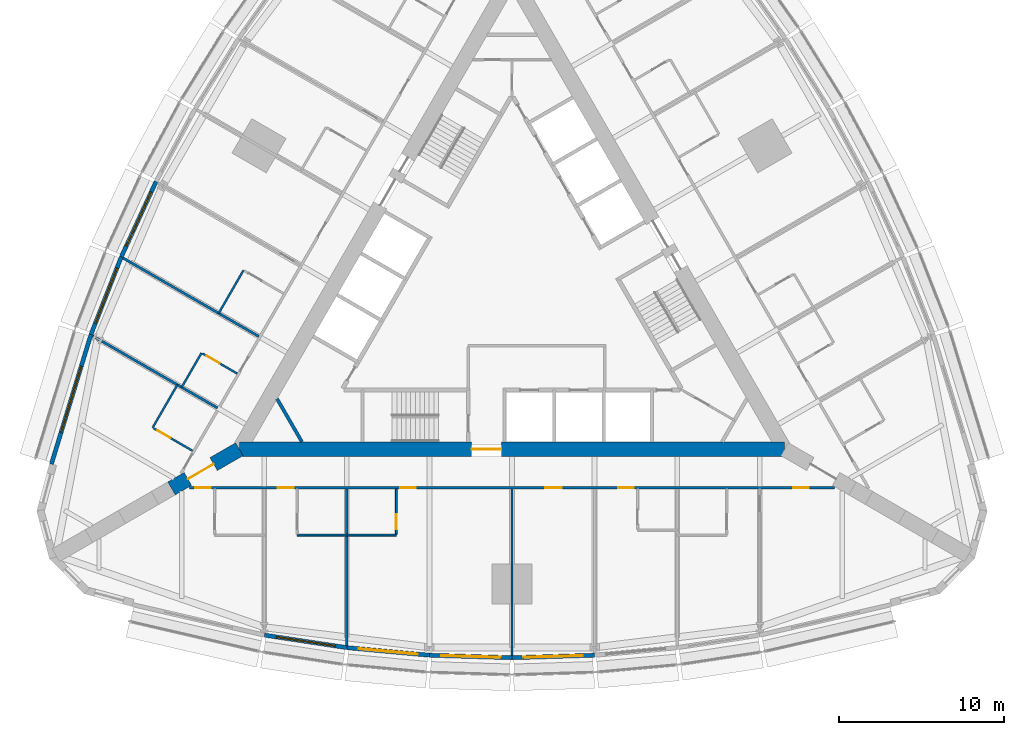
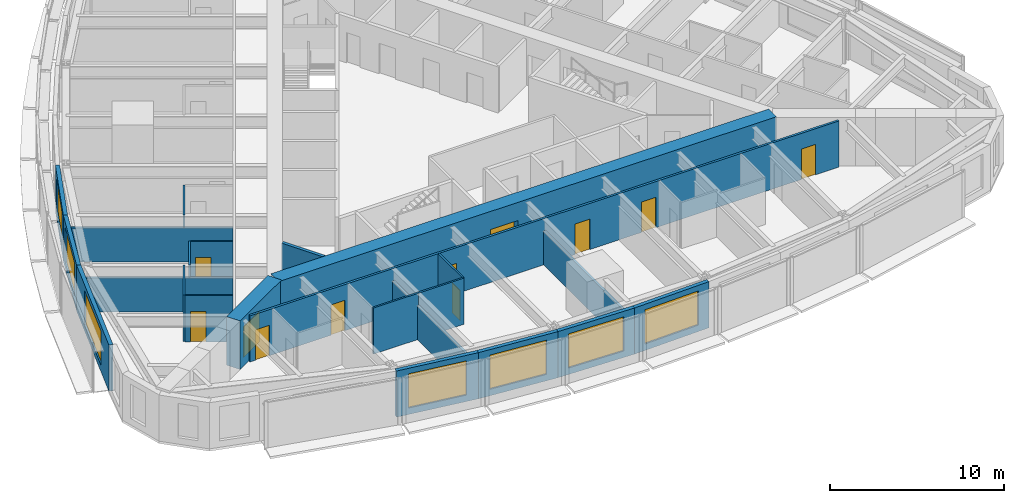
# One storey, part 8 of 14: 23 walls, 11 doors, 7 windows, 18 openings.
"""IFC4 building model written with IfcOpenShell, lengths in metres."""

from ifc_helpers import new_model, si_unit, direction, frame, frame_2d, origin, place, context, subcontext, project, spatial, rectangle, extrude, material, layer, layer_set, type_object, element, fill, save


model = new_model("IFC4")

# Units and contexts
model_context = context("Model", 3, precision=1e-05, world=origin(), true_north=direction((0.0, 1.0)))
body_context = subcontext(model_context, "Body", "Model", "MODEL_VIEW")
ifc_project = project(units=[si_unit("LENGTHUNIT", "METRE"), si_unit("AREAUNIT", "SQUARE_METRE"), si_unit("VOLUMEUNIT", "CUBIC_METRE"), si_unit("PLANEANGLEUNIT", "RADIAN"), si_unit("MASSUNIT", "GRAM", prefix="KILO")], contexts=[model_context])

# Site, building, storey
site_placement = place(None, origin())
site = spatial("IfcSite", under=ifc_project, at=site_placement, CompositionType="ELEMENT")
building_placement = place(site_placement, origin())
building = spatial("IfcBuilding", under=site, at=building_placement, Name="Trikona Tower", CompositionType="ELEMENT")
storey_placement = place(building_placement, frame((0.0, 0.0, 38.699951171875)))
storey = spatial("IfcBuildingStorey", under=building, at=storey_placement, Name="L08", CompositionType="ELEMENT", Elevation=38.699951171875)

# Walls
ifc_material_1 = material(Name="Metal stud and cement board", Category="gypsum")
ifc_layer_1 = layer(ifc_material_1, 0.1201171875)
ifc_layer_set_1 = layer_set([ifc_layer_1], Name="Bathroom wall 120")
wall_type_1 = type_object("IfcWallType", Name="Bathroom wall 120", PredefinedType="PLUMBINGWALL", material=ifc_layer_set_1)
for number, where, z_axis, x_axis, name in (
    (1, (-13.0, -14.726318359375, 0.0), (0.0, 0.0, 1.0), (1.0, 0.0, 0.0), "Bathroom wall 0802"),
    (2, (-10.0, -14.726318359375, 0.0), (0.0, 0.0, 1.0), (1.0, 0.0, 0.0), "Bathroom wall 0803"),
):
    element("IfcWall", number, at=place(storey_placement, frame(where, z_axis=z_axis, x_axis=x_axis)), inside=storey, type_object=wall_type_1, Name=name, PredefinedType="PLUMBINGWALL", context=body_context, shape_type="SweptSolid", body=[
        extrude(rectangle(XDim=3.0, YDim=0.1201171875, at=frame_2d((1.5, 0.0))), origin(), (0.0, 0.0, 1.0), 3.235107421875),
    ])

# Wall, opening, door
wall_1_placement = place(storey_placement, frame((-7.0, -11.92626953125, 0.0), z_axis=(0.0, 0.0, 1.0), x_axis=(0.0, -1.0, 0.0)))
wall_1 = element("IfcWall", 3, at=wall_1_placement, inside=storey, type_object=wall_type_1, Name="Bathroom wall 0803", PredefinedType="PLUMBINGWALL", context=body_context, shape_type="SweptSolid", body=[
    extrude(rectangle(XDim=2.739990234375, YDim=0.1201171875, at=frame_2d((1.3701171875, 0.0))), origin(), (0.0, 0.0, 1.0), 3.235107421875),
])
opening_1_placement = place(wall_1_placement, frame((1.550048828125, 0.0, 0.0)))
opening_1 = element("IfcOpeningElement", 4, at=opening_1_placement, cuts=wall_1, Name="Opening D2", PredefinedType="OPENING", context=body_context, shape_type="SweptSolid", body=[
    extrude(rectangle(XDim=0.89990234375, YDim=2.1298828125, at=frame_2d((0.449951171875, 1.06494140625))), frame((0.0, 0.070068359375, 0.0), z_axis=(0.0, -1.0, 0.0), x_axis=(1.0, 0.0, 0.0)), (0.0, 0.0, 1.0), 0.14013671875),
])
ifc_material_2 = material(Name="Steel door frame with solid-core timber leaf", Category="steel")
door_type_1 = type_object("IfcDoorType", Name="Bathroom door 900x2130", OperationType="SLIDING_TO_LEFT", PredefinedType="DOOR", material=ifc_material_2)
door_1_placement = place(opening_1_placement, origin())
door_1 = element("IfcDoor", 5, at=door_1_placement, inside=storey, type_object=door_type_1, Name="Bathroom door 0803", OperationType="SLIDING_TO_LEFT", OverallHeight=2.1298828125, OverallWidth=0.89990234375, PredefinedType="DOOR", context=body_context, shape_type="SweptSolid", body=[
    extrude(rectangle(XDim=0.89990234375, YDim=2.1298828125, at=frame_2d((0.449951171875, 1.06494140625))), frame((0.0, 0.02490234375, 0.0), z_axis=(0.0, -1.0, 0.0), x_axis=(1.0, 0.0, 0.0)), (0.0, 0.0, 1.0), 0.050048828125),
])
fill(opening_1, door_1)

# Walls
wall_2_placement = place(storey_placement, frame((-16.25341796875, 1.301025390625, 0.0), z_axis=(0.0, 0.0, 1.0), x_axis=(-0.499990139034, -0.866031096941, 0.0)))
element("IfcWall", 6, at=wall_2_placement, inside=storey, type_object=wall_type_1, Name="Bathroom wall 0816.1", PredefinedType="PLUMBINGWALL", context=body_context, shape_type="SweptSolid", body=[
    extrude(rectangle(XDim=3.0, YDim=0.1201171875, at=frame_2d((1.5, 0.0))), origin(), (0.0, 0.0, 1.0), 3.235107421875),
])
wall_3_placement = place(storey_placement, frame((-18.79345703125, -3.69873046875, 0.0), z_axis=(0.0, 0.0, 1.0), x_axis=(-0.500001309137, -0.866024647952, 0.0)))
element("IfcWall", 7, at=wall_3_placement, inside=storey, type_object=wall_type_1, Name="Bathroom wall 0817", PredefinedType="PLUMBINGWALL", context=body_context, shape_type="SweptSolid", body=[
    extrude(rectangle(XDim=2.39990234375, YDim=0.1201171875, at=frame_2d((1.199951171875, 0.0))), origin(), (0.0, 0.0, 1.0), 3.235107421875),
])

# Wall, opening, door
wall_4_placement = place(storey_placement, frame((-16.62841796875, -4.94873046875, 0.0), z_axis=(0.0, 0.0, 1.0), x_axis=(-0.866048967903, 0.499959183527, 0.0)))
wall_4 = element("IfcWall", 8, at=wall_4_placement, inside=storey, type_object=wall_type_1, Name="Bathroom wall 0817", PredefinedType="PLUMBINGWALL", context=body_context, shape_type="SweptSolid", body=[
    extrude(rectangle(XDim=2.440185546875, YDim=0.1201171875, at=frame_2d((1.22021484375, 0.0))), origin(), (0.0, 0.0, 1.0), 3.235107421875),
])
opening_2_placement = place(wall_4_placement, frame((1.25, 0.0, 0.0)))
opening_2 = element("IfcOpeningElement", 9, at=opening_2_placement, cuts=wall_4, Name="Opening D2", PredefinedType="OPENING", context=body_context, shape_type="SweptSolid", body=[
    extrude(rectangle(XDim=0.89990234375, YDim=2.1298828125, at=frame_2d((0.449951171875, 1.06494140625))), frame((0.0, 0.070068359375, 0.0), z_axis=(0.0, -1.0, 0.0), x_axis=(1.0, 0.0, 0.0)), (0.0, 0.0, 1.0), 0.14013671875),
])
door_2_placement = place(opening_2_placement, origin())
door_2 = element("IfcDoor", 10, at=door_2_placement, inside=storey, type_object=door_type_1, Name="Bathroom door 0817", OperationType="SLIDING_TO_LEFT", OverallHeight=2.1298828125, OverallWidth=0.89990234375, PredefinedType="DOOR", context=body_context, shape_type="SweptSolid", body=[
    extrude(rectangle(XDim=0.89990234375, YDim=2.1298828125, at=frame_2d((0.449951171875, 1.06494140625))), frame((0.0, 0.02490234375, 0.0), z_axis=(0.0, -1.0, 0.0), x_axis=(1.0, 0.0, 0.0)), (0.0, 0.0, 1.0), 0.050048828125),
])
fill(opening_2, door_2)

# Wall
wall_5_placement = place(storey_placement, frame((-20.25341796875, -5.627197265625, 0.0), z_axis=(0.0, 0.0, 1.0), x_axis=(-0.499990139034, -0.866031096941, 0.0)))
element("IfcWall", 11, at=wall_5_placement, inside=storey, type_object=wall_type_1, Name="Bathroom wall 0818", PredefinedType="PLUMBINGWALL", context=body_context, shape_type="SweptSolid", body=[
    extrude(rectangle(XDim=3.0, YDim=0.1201171875, at=frame_2d((1.5, 0.0))), origin(), (0.0, 0.0, 1.0), 3.235107421875),
])

# Wall, opening, door
wall_6_placement = place(storey_placement, frame((-19.32861328125, -9.625244140625, 0.0), z_axis=(0.0, 0.0, 1.0), x_axis=(-0.866035715982, 0.499982138324, 0.0)))
wall_6 = element("IfcWall", 12, at=wall_6_placement, inside=storey, type_object=wall_type_1, Name="Bathroom wall 0818", PredefinedType="PLUMBINGWALL", context=body_context, shape_type="SweptSolid", body=[
    extrude(rectangle(XDim=2.73974609375, YDim=0.1201171875, at=frame_2d((1.369873046875, 0.0))), origin(), (0.0, 0.0, 1.0), 3.235107421875),
])
opening_3_placement = place(wall_6_placement, frame((1.550048828125, 0.0, 0.0)))
opening_3 = element("IfcOpeningElement", 13, at=opening_3_placement, cuts=wall_6, Name="Opening D2", PredefinedType="OPENING", context=body_context, shape_type="SweptSolid", body=[
    extrude(rectangle(XDim=0.89990234375, YDim=2.1298828125, at=frame_2d((0.449951171875, 1.06494140625))), frame((0.0, 0.070068359375, 0.0), z_axis=(0.0, -1.0, 0.0), x_axis=(1.0, 0.0, 0.0)), (0.0, 0.0, 1.0), 0.14013671875),
])
door_3_placement = place(opening_3_placement, origin())
door_3 = element("IfcDoor", 14, at=door_3_placement, inside=storey, type_object=door_type_1, Name="Bathroom door 0818", OperationType="SLIDING_TO_LEFT", OverallHeight=2.1298828125, OverallWidth=0.89990234375, PredefinedType="DOOR", context=body_context, shape_type="SweptSolid", body=[
    extrude(rectangle(XDim=0.89990234375, YDim=2.1298828125, at=frame_2d((0.449951171875, 1.06494140625))), frame((0.0, 0.02490234375, 0.0), z_axis=(0.0, -1.0, 0.0), x_axis=(1.0, 0.0, 0.0)), (0.0, 0.0, 1.0), 0.050048828125),
])
fill(opening_3, door_3)

ifc_material_3 = material(Name="Concrete f'c 10000 psi", Category="concrete")
ifc_layer_2 = layer(ifc_material_3, 0.89990234375)
ifc_layer_set_2 = layer_set([ifc_layer_2], Name="Buttress wall 900")
wall_type_2 = type_object("IfcWallType", Name="Buttress wall 900", PredefinedType="SHEAR", material=ifc_layer_set_2)
wall_7_placement = place(storey_placement, frame((-16.5, -9.5263671875, 0.0), z_axis=(0.0, 0.0, 1.0), x_axis=(-0.866031398331, -0.499989616998, 0.0)))
wall_7 = element("IfcWall", 15, at=wall_7_placement, inside=storey, type_object=wall_type_2, Name="Buttress wall 3", PredefinedType="SHEAR", context=body_context, shape_type="SweptSolid", body=[
    extrude(rectangle(XDim=4.74609375, YDim=0.89990234375, at=frame_2d((2.373046875, 0.0))), origin(), (0.0, 0.0, 1.0), 3.400146484375),
])
opening_4_placement = place(wall_7_placement, frame((1.800048828125, 0.0, 0.0)))
opening_4 = element("IfcOpeningElement", 16, at=opening_4_placement, cuts=wall_7, Name="Opening D10", PredefinedType="OPENING", context=body_context, shape_type="SweptSolid", body=[
    extrude(rectangle(XDim=1.800048828125, YDim=2.1298828125, at=frame_2d((0.89990234375, 1.06494140625))), frame((0.0, 0.4599609375, 0.0), z_axis=(0.0, -1.0, 0.0), x_axis=(1.0, 0.0, 0.0)), (0.0, 0.0, 1.0), 0.919921875),
])
ifc_material_4 = material(Name="Hollow metal door and frame", Category="steel")
door_type_2 = type_object("IfcDoorType", Name="Cross-corridor door pair 1800x2130", OperationType="DOUBLE_DOOR_DOUBLE_SWING", PredefinedType="DOOR", material=ifc_material_4)
door_4_placement = place(opening_4_placement, origin())
door_4 = element("IfcDoor", 17, at=door_4_placement, inside=storey, type_object=door_type_2, Name="Cross-corridor door 3", OperationType="DOUBLE_DOOR_DOUBLE_SWING", OverallHeight=2.1298828125, OverallWidth=1.800048828125, PredefinedType="DOOR", context=body_context, shape_type="SweptSolid", body=[
    extrude(rectangle(XDim=1.800048828125, YDim=2.1298828125, at=frame_2d((0.89990234375, 1.06494140625))), frame((0.0, 0.02490234375, 0.0), z_axis=(0.0, -1.0, 0.0), x_axis=(1.0, 0.0, 0.0)), (0.0, 0.0, 1.0), 0.050048828125),
])
fill(opening_4, door_4)

ifc_material_5 = material(Name="Concrete f'c 10000 psi", Category="concrete")
ifc_layer_3 = layer(ifc_material_5, 0.89990234375)
ifc_layer_set_3 = layer_set([ifc_layer_3], Name="Core wall 900")
wall_type_3 = type_object("IfcWallType", Name="Core wall 900", PredefinedType="SHEAR", material=ifc_layer_set_3)
wall_8_placement = place(storey_placement, frame((-16.5, -9.5263671875, 0.0), z_axis=(0.0, 0.0, 1.0), x_axis=(1.0, 0.0, 0.0)))
wall_8 = element("IfcWall", 18, at=wall_8_placement, inside=storey, type_object=wall_type_3, Name="Core wall A", PredefinedType="SHEAR", context=body_context, shape_type="SweptSolid", body=[
    extrude(rectangle(XDim=33.0, YDim=0.89990234375, at=frame_2d((16.5, 0.0))), origin(), (0.0, 0.0, 1.0), 3.400146484375),
])
opening_5_placement = place(wall_8_placement, frame((14.050048828125, 0.0, 0.0)))
opening_5 = element("IfcOpeningElement", 19, at=opening_5_placement, cuts=wall_8, Name="Opening D6", PredefinedType="OPENING", context=body_context, shape_type="SweptSolid", body=[
    extrude(rectangle(XDim=1.800048828125, YDim=2.1298828125, at=frame_2d((0.89990234375, 1.06494140625))), frame((0.0, 0.4599609375, 0.0), z_axis=(0.0, -1.0, 0.0), x_axis=(1.0, 0.0, 0.0)), (0.0, 0.0, 1.0), 0.919921875),
])
ifc_material_6 = material(Name="Hollow metal door and frame", Category="steel")
door_type_3 = type_object("IfcDoorType", Name="Lobby door pair 1800x2130", OperationType="DOUBLE_DOOR_SINGLE_SWING", PredefinedType="DOOR", material=ifc_material_6)
door_5_placement = place(opening_5_placement, origin())
door_5 = element("IfcDoor", 20, at=door_5_placement, inside=storey, type_object=door_type_3, Name="Fire service lift lobby door", OperationType="DOUBLE_DOOR_SINGLE_SWING", OverallHeight=2.1298828125, OverallWidth=1.800048828125, PredefinedType="DOOR", context=body_context, shape_type="SweptSolid", body=[
    extrude(rectangle(XDim=1.800048828125, YDim=2.1298828125, at=frame_2d((0.89990234375, 1.06494140625))), frame((0.0, 0.02490234375, 0.0), z_axis=(0.0, -1.0, 0.0), x_axis=(1.0, 0.0, 0.0)), (0.0, 0.0, 1.0), 0.050048828125),
])
fill(opening_5, door_5)

# Wall, openings, doors
ifc_material_7 = material(Name="Metal stud and gypsum board, 1-hour", Category="gypsum")
ifc_layer_4 = layer(ifc_material_7, 0.14990234375)
ifc_layer_set_4 = layer_set([ifc_layer_4], Name="Corridor wall 150")
wall_type_4 = type_object("IfcWallType", Name="Corridor wall 150", PredefinedType="PARTITIONING", material=ifc_layer_set_4)
wall_9_placement = place(storey_placement, frame((-19.527099609375, -11.851318359375, 0.0), z_axis=(0.0, 0.0, 1.0), x_axis=(1.0, 0.0, 0.0)))
wall_9 = element("IfcWall", 21, at=wall_9_placement, inside=storey, type_object=wall_type_4, Name="Corridor wall L08-1", PredefinedType="PARTITIONING", context=body_context, shape_type="SweptSolid", body=[
    extrude(rectangle(XDim=39.05419921875, YDim=0.14990234375, at=frame_2d((19.527099609375, 0.0))), origin(), (0.0, 0.0, 1.0), 3.235107421875),
])
opening_6_placement = place(wall_9_placement, frame((0.35205078125, 0.0, 0.0)))
opening_6 = element("IfcOpeningElement", 22, at=opening_6_placement, cuts=wall_9, Name="Opening D1", PredefinedType="OPENING", context=body_context, shape_type="SweptSolid", body=[
    extrude(rectangle(XDim=0.949951171875, YDim=2.1298828125, at=frame_2d((0.47509765625, 1.06494140625))), frame((0.0, 0.0849609375, 0.0), z_axis=(0.0, -1.0, 0.0), x_axis=(1.0, 0.0, 0.0)), (0.0, 0.0, 1.0), 0.169921875),
])
opening_7_placement = place(wall_9_placement, frame((5.35205078125, 0.0, 0.0)))
opening_7 = element("IfcOpeningElement", 23, at=opening_7_placement, cuts=wall_9, Name="Opening D1", PredefinedType="OPENING", context=body_context, shape_type="SweptSolid", body=[
    extrude(rectangle(XDim=0.949951171875, YDim=2.1298828125, at=frame_2d((0.47509765625, 1.06494140625))), frame((0.0, 0.0849609375, 0.0), z_axis=(0.0, -1.0, 0.0), x_axis=(1.0, 0.0, 0.0)), (0.0, 0.0, 1.0), 0.169921875),
])
opening_8_placement = place(wall_9_placement, frame((12.751953125, 0.0, 0.0)))
opening_8 = element("IfcOpeningElement", 24, at=opening_8_placement, cuts=wall_9, Name="Opening D1", PredefinedType="OPENING", context=body_context, shape_type="SweptSolid", body=[
    extrude(rectangle(XDim=0.949951171875, YDim=2.1298828125, at=frame_2d((0.47509765625, 1.06494140625))), frame((0.0, 0.0849609375, 0.0), z_axis=(0.0, -1.0, 0.0), x_axis=(1.0, 0.0, 0.0)), (0.0, 0.0, 1.0), 0.169921875),
])
opening_9_placement = place(wall_9_placement, frame((21.527099609375, 0.0, 0.0)))
opening_9 = element("IfcOpeningElement", 25, at=opening_9_placement, cuts=wall_9, Name="Opening D3", PredefinedType="OPENING", context=body_context, shape_type="SweptSolid", body=[
    extrude(rectangle(XDim=1.0, YDim=2.1298828125, at=frame_2d((0.5, 1.06494140625))), frame((0.0, 0.0849609375, 0.0), z_axis=(0.0, -1.0, 0.0), x_axis=(1.0, 0.0, 0.0)), (0.0, 0.0, 1.0), 0.169921875),
])
opening_10_placement = place(wall_9_placement, frame((25.951904296875, 0.0, 0.0)))
opening_10 = element("IfcOpeningElement", 26, at=opening_10_placement, cuts=wall_9, Name="Opening D1", PredefinedType="OPENING", context=body_context, shape_type="SweptSolid", body=[
    extrude(rectangle(XDim=0.949951171875, YDim=2.1298828125, at=frame_2d((0.47509765625, 1.06494140625))), frame((0.0, 0.0849609375, 0.0), z_axis=(0.0, -1.0, 0.0), x_axis=(1.0, 0.0, 0.0)), (0.0, 0.0, 1.0), 0.169921875),
])
opening_11_placement = place(wall_9_placement, frame((36.545654296875, 0.0, 0.0)))
opening_11 = element("IfcOpeningElement", 27, at=opening_11_placement, cuts=wall_9, Name="Opening D1", PredefinedType="OPENING", context=body_context, shape_type="SweptSolid", body=[
    extrude(rectangle(XDim=0.949951171875, YDim=2.1298828125, at=frame_2d((0.47509765625, 1.06494140625))), frame((0.0, 0.0849609375, 0.0), z_axis=(0.0, -1.0, 0.0), x_axis=(1.0, 0.0, 0.0)), (0.0, 0.0, 1.0), 0.169921875),
])
ifc_material_8 = material(Name="Steel door frame with solid-core timber leaf", Category="steel")
door_type_4 = type_object("IfcDoorType", Name="Guest room door 950x2130", OperationType="SINGLE_SWING_LEFT", PredefinedType="DOOR", material=ifc_material_8)
door_6_placement = place(opening_6_placement, origin())
door_6 = element("IfcDoor", 28, at=door_6_placement, inside=storey, type_object=door_type_4, Name="Room door 0801", OperationType="SINGLE_SWING_LEFT", OverallHeight=2.1298828125, OverallWidth=0.949951171875, PredefinedType="DOOR", context=body_context, shape_type="SweptSolid", body=[
    extrude(rectangle(XDim=0.949951171875, YDim=2.1298828125, at=frame_2d((0.47509765625, 1.06494140625))), frame((0.0, 0.02490234375, 0.0), z_axis=(0.0, -1.0, 0.0), x_axis=(1.0, 0.0, 0.0)), (0.0, 0.0, 1.0), 0.050048828125),
])
fill(opening_6, door_6)
door_7_placement = place(opening_7_placement, origin())
door_7 = element("IfcDoor", 29, at=door_7_placement, inside=storey, type_object=door_type_4, Name="Room door 0802", OperationType="SINGLE_SWING_RIGHT", OverallHeight=2.1298828125, OverallWidth=0.949951171875, PredefinedType="DOOR", context=body_context, shape_type="SweptSolid", body=[
    extrude(rectangle(XDim=0.949951171875, YDim=2.1298828125, at=frame_2d((0.47509765625, 1.06494140625))), frame((0.0, 0.02490234375, 0.0), z_axis=(0.0, -1.0, 0.0), x_axis=(1.0, 0.0, 0.0)), (0.0, 0.0, 1.0), 0.050048828125),
])
fill(opening_7, door_7)
door_8_placement = place(opening_8_placement, origin())
door_8 = element("IfcDoor", 30, at=door_8_placement, inside=storey, type_object=door_type_4, Name="Room door 0803", OperationType="SINGLE_SWING_LEFT", OverallHeight=2.1298828125, OverallWidth=0.949951171875, PredefinedType="DOOR", context=body_context, shape_type="SweptSolid", body=[
    extrude(rectangle(XDim=0.949951171875, YDim=2.1298828125, at=frame_2d((0.47509765625, 1.06494140625))), frame((0.0, 0.02490234375, 0.0), z_axis=(0.0, -1.0, 0.0), x_axis=(1.0, 0.0, 0.0)), (0.0, 0.0, 1.0), 0.050048828125),
])
fill(opening_8, door_8)
door_9_placement = place(opening_10_placement, origin())
door_9 = element("IfcDoor", 31, at=door_9_placement, inside=storey, type_object=door_type_4, Name="Room door 0804", OperationType="SINGLE_SWING_LEFT", OverallHeight=2.1298828125, OverallWidth=0.949951171875, PredefinedType="DOOR", context=body_context, shape_type="SweptSolid", body=[
    extrude(rectangle(XDim=0.949951171875, YDim=2.1298828125, at=frame_2d((0.47509765625, 1.06494140625))), frame((0.0, 0.02490234375, 0.0), z_axis=(0.0, -1.0, 0.0), x_axis=(1.0, 0.0, 0.0)), (0.0, 0.0, 1.0), 0.050048828125),
])
fill(opening_10, door_9)
door_10_placement = place(opening_11_placement, origin())
door_10 = element("IfcDoor", 32, at=door_10_placement, inside=storey, type_object=door_type_4, Name="Room door 0805", OperationType="SINGLE_SWING_RIGHT", OverallHeight=2.1298828125, OverallWidth=0.949951171875, PredefinedType="DOOR", context=body_context, shape_type="SweptSolid", body=[
    extrude(rectangle(XDim=0.949951171875, YDim=2.1298828125, at=frame_2d((0.47509765625, 1.06494140625))), frame((0.0, 0.02490234375, 0.0), z_axis=(0.0, -1.0, 0.0), x_axis=(1.0, 0.0, 0.0)), (0.0, 0.0, 1.0), 0.050048828125),
])
fill(opening_11, door_10)
ifc_material_9 = material(Name="Steel door frame with solid-core timber leaf", Category="steel")
door_type_5 = type_object("IfcDoorType", Name="Room door 1000x2130", OperationType="SINGLE_SWING_LEFT", PredefinedType="DOOR", material=ifc_material_9)
door_11_placement = place(opening_9_placement, origin())
door_11 = element("IfcDoor", 33, at=door_11_placement, inside=storey, type_object=door_type_5, Name="Door Housekeeping pantry", OperationType="SINGLE_SWING_RIGHT", OverallHeight=2.1298828125, OverallWidth=1.0, PredefinedType="DOOR", context=body_context, shape_type="SweptSolid", body=[
    extrude(rectangle(XDim=1.0, YDim=2.1298828125, at=frame_2d((0.5, 1.06494140625))), frame((0.0, 0.02490234375, 0.0), z_axis=(0.0, -1.0, 0.0), x_axis=(1.0, 0.0, 0.0)), (0.0, 0.0, 1.0), 0.050048828125),
])
fill(opening_9, door_11)

# Wall, opening, window
ifc_material_10 = material(Name="Insulated precast concrete spandrel panel", Category="concrete")
ifc_layer_5 = layer(ifc_material_10, 0.25)
ifc_layer_set_5 = layer_set([ifc_layer_5], Name="Inner skin wall 250")
wall_type_5 = type_object("IfcWallType", Name="Inner skin wall 250", PredefinedType="STANDARD", material=ifc_layer_set_5)
wall_10_placement = place(storey_placement, frame((-14.981201171875, -20.779296875, 0.0), z_axis=(0.0, 0.0, 1.0), x_axis=(0.988615403399, -0.150464561152, 0.0)))
wall_10 = element("IfcWall", 34, at=wall_10_placement, inside=storey, type_object=wall_type_5, Name="External wall L08-01", PredefinedType="STANDARD", context=body_context, shape_type="SweptSolid", body=[
    extrude(rectangle(XDim=5.0576171875, YDim=0.25, at=frame_2d((2.52880859375, 0.0))), origin(), (0.0, 0.0, 1.0), 3.235107421875),
])
opening_12_placement = place(wall_10_placement, frame((0.728759765625, 0.0, 0.449951171875)))
opening_12 = element("IfcOpeningElement", 35, at=opening_12_placement, cuts=wall_10, Name="Opening W3624", PredefinedType="OPENING", context=body_context, shape_type="SweptSolid", body=[
    extrude(rectangle(XDim=3.60009765625, YDim=2.39990234375, at=frame_2d((1.800048828125, 1.199951171875))), frame((0.0, 0.135009765625, 0.0), z_axis=(0.0, -1.0, 0.0), x_axis=(1.0, 0.0, 0.0)), (0.0, 0.0, 1.0), 0.27001953125),
])
ifc_material_11 = material(Name="Aluminium-framed double glazing", Category="aluminium")
window_type_1 = type_object("IfcWindowType", Name="Window 3600x2400", PartitioningType="SINGLE_PANEL", PredefinedType="WINDOW", material=ifc_material_11)
window_1_placement = place(opening_12_placement, origin())
window_1 = element("IfcWindow", 36, at=window_1_placement, inside=storey, type_object=window_type_1, Name="Window 0802", OverallHeight=2.39990234375, OverallWidth=3.60009765625, PartitioningType="SINGLE_PANEL", PredefinedType="WINDOW", context=body_context, shape_type="SweptSolid", body=[
    extrude(rectangle(XDim=3.60009765625, YDim=2.39990234375, at=frame_2d((1.800048828125, 1.199951171875))), frame((0.0, 0.030029296875, 0.0), z_axis=(0.0, -1.0, 0.0), x_axis=(1.0, 0.0, 0.0)), (0.0, 0.0, 1.0), 0.06005859375),
])
fill(opening_12, window_1)

wall_11_placement = place(storey_placement, frame((-9.988525390625, -21.539306640625, 0.0), z_axis=(0.0, 0.0, 1.0), x_axis=(0.995857256774, -0.090930325692, 0.0)))
wall_11 = element("IfcWall", 37, at=wall_11_placement, inside=storey, type_object=wall_type_5, Name="External wall L08-02", PredefinedType="STANDARD", context=body_context, shape_type="SweptSolid", body=[
    extrude(rectangle(XDim=5.020751953125, YDim=0.25, at=frame_2d((2.51025390625, 0.0))), origin(), (0.0, 0.0, 1.0), 3.235107421875),
])
opening_13_placement = place(wall_11_placement, frame((0.71044921875, 0.0, 0.449951171875)))
opening_13 = element("IfcOpeningElement", 38, at=opening_13_placement, cuts=wall_11, Name="Opening W3624", PredefinedType="OPENING", context=body_context, shape_type="SweptSolid", body=[
    extrude(rectangle(XDim=3.60009765625, YDim=2.39990234375, at=frame_2d((1.800048828125, 1.199951171875))), frame((0.0, 0.135009765625, 0.0), z_axis=(0.0, -1.0, 0.0), x_axis=(1.0, 0.0, 0.0)), (0.0, 0.0, 1.0), 0.27001953125),
])
window_2_placement = place(opening_13_placement, origin())
window_2 = element("IfcWindow", 39, at=window_2_placement, inside=storey, type_object=window_type_1, Name="Window 0803", OverallHeight=2.39990234375, OverallWidth=3.60009765625, PartitioningType="SINGLE_PANEL", PredefinedType="WINDOW", context=body_context, shape_type="SweptSolid", body=[
    extrude(rectangle(XDim=3.60009765625, YDim=2.39990234375, at=frame_2d((1.800048828125, 1.199951171875))), frame((0.0, 0.030029296875, 0.0), z_axis=(0.0, -1.0, 0.0), x_axis=(1.0, 0.0, 0.0)), (0.0, 0.0, 1.0), 0.06005859375),
])
fill(opening_13, window_2)

wall_12_placement = place(storey_placement, frame((-4.99609375, -21.99560546875, 0.0), z_axis=(0.0, 0.0, 1.0), x_axis=(0.999537635046, -0.030405856769, 0.0)))
wall_12 = element("IfcWall", 40, at=wall_12_placement, inside=storey, type_object=wall_type_5, Name="External wall L08-03", PredefinedType="STANDARD", context=body_context, shape_type="SweptSolid", body=[
    extrude(rectangle(XDim=5.002197265625, YDim=0.25, at=frame_2d((2.5009765625, 0.0))), origin(), (0.0, 0.0, 1.0), 3.235107421875),
])
opening_14_placement = place(wall_12_placement, frame((0.701171875, 0.0, 0.449951171875)))
opening_14 = element("IfcOpeningElement", 41, at=opening_14_placement, cuts=wall_12, Name="Opening W3624", PredefinedType="OPENING", context=body_context, shape_type="SweptSolid", body=[
    extrude(rectangle(XDim=3.60009765625, YDim=2.39990234375, at=frame_2d((1.800048828125, 1.199951171875))), frame((0.0, 0.135009765625, 0.0), z_axis=(0.0, -1.0, 0.0), x_axis=(1.0, 0.0, 0.0)), (0.0, 0.0, 1.0), 0.27001953125),
])
window_3_placement = place(opening_14_placement, origin())
window_3 = element("IfcWindow", 42, at=window_3_placement, inside=storey, type_object=window_type_1, Name="Window 0803", OverallHeight=2.39990234375, OverallWidth=3.60009765625, PartitioningType="SINGLE_PANEL", PredefinedType="WINDOW", context=body_context, shape_type="SweptSolid", body=[
    extrude(rectangle(XDim=3.60009765625, YDim=2.39990234375, at=frame_2d((1.800048828125, 1.199951171875))), frame((0.0, 0.030029296875, 0.0), z_axis=(0.0, -1.0, 0.0), x_axis=(1.0, 0.0, 0.0)), (0.0, 0.0, 1.0), 0.06005859375),
])
fill(opening_14, window_3)

wall_13_placement = place(storey_placement, frame((-0.00390625, -22.147705078125, 0.0), z_axis=(0.0, 0.0, 1.0), x_axis=(0.999537635046, 0.030405856769, 0.0)))
wall_13 = element("IfcWall", 43, at=wall_13_placement, inside=storey, type_object=wall_type_5, Name="External wall L08-04", PredefinedType="STANDARD", context=body_context, shape_type="SweptSolid", body=[
    extrude(rectangle(XDim=5.002197265625, YDim=0.25, at=frame_2d((2.5009765625, 0.0))), origin(), (0.0, 0.0, 1.0), 3.235107421875),
])
opening_15_placement = place(wall_13_placement, frame((0.701171875, 0.0, 0.449951171875)))
opening_15 = element("IfcOpeningElement", 44, at=opening_15_placement, cuts=wall_13, Name="Opening W3624", PredefinedType="OPENING", context=body_context, shape_type="SweptSolid", body=[
    extrude(rectangle(XDim=3.60009765625, YDim=2.39990234375, at=frame_2d((1.800048828125, 1.199951171875))), frame((0.0, 0.135009765625, 0.0), z_axis=(0.0, -1.0, 0.0), x_axis=(1.0, 0.0, 0.0)), (0.0, 0.0, 1.0), 0.27001953125),
])
window_4_placement = place(opening_15_placement, origin())
window_4 = element("IfcWindow", 45, at=window_4_placement, inside=storey, type_object=window_type_1, Name="Window L08-HKP", OverallHeight=2.39990234375, OverallWidth=3.60009765625, PartitioningType="SINGLE_PANEL", PredefinedType="WINDOW", context=body_context, shape_type="SweptSolid", body=[
    extrude(rectangle(XDim=3.60009765625, YDim=2.39990234375, at=frame_2d((1.800048828125, 1.199951171875))), frame((0.0, 0.030029296875, 0.0), z_axis=(0.0, -1.0, 0.0), x_axis=(1.0, 0.0, 0.0)), (0.0, 0.0, 1.0), 0.06005859375),
])
fill(opening_15, window_4)

wall_14_placement = place(storey_placement, frame((-21.543212890625, 6.677734375, 0.0), z_axis=(0.0, 0.0, 1.0), x_axis=(-0.419203100754, -0.907892482796, 0.0)))
wall_14 = element("IfcWall", 46, at=wall_14_placement, inside=storey, type_object=wall_type_5, Name="External wall L08-29", PredefinedType="STANDARD", context=body_context, shape_type="SweptSolid", body=[
    extrude(rectangle(XDim=5.020751953125, YDim=0.25, at=frame_2d((2.51025390625, 0.0))), origin(), (0.0, 0.0, 1.0), 3.235107421875),
])
opening_16_placement = place(wall_14_placement, frame((0.71044921875, 0.0, 0.449951171875)))
opening_16 = element("IfcOpeningElement", 47, at=opening_16_placement, cuts=wall_14, Name="Opening W3624", PredefinedType="OPENING", context=body_context, shape_type="SweptSolid", body=[
    extrude(rectangle(XDim=3.60009765625, YDim=2.39990234375, at=frame_2d((1.800048828125, 1.199951171875))), frame((0.0, 0.135009765625, 0.0), z_axis=(0.0, -1.0, 0.0), x_axis=(1.0, 0.0, 0.0)), (0.0, 0.0, 1.0), 0.27001953125),
])
window_5_placement = place(opening_16_placement, origin())
window_5 = element("IfcWindow", 48, at=window_5_placement, inside=storey, type_object=window_type_1, Name="Window 0816.1", OverallHeight=2.39990234375, OverallWidth=3.60009765625, PartitioningType="SINGLE_PANEL", PredefinedType="WINDOW", context=body_context, shape_type="SweptSolid", body=[
    extrude(rectangle(XDim=3.60009765625, YDim=2.39990234375, at=frame_2d((1.800048828125, 1.199951171875))), frame((0.0, 0.030029296875, 0.0), z_axis=(0.0, -1.0, 0.0), x_axis=(1.0, 0.0, 0.0)), (0.0, 0.0, 1.0), 0.06005859375),
])
fill(opening_16, window_5)

wall_15_placement = place(storey_placement, frame((-23.64501953125, 2.126220703125, 0.0), z_axis=(0.0, 0.0, 1.0), x_axis=(-0.364013463868, -0.931393685894, 0.0)))
wall_15 = element("IfcWall", 49, at=wall_15_placement, inside=storey, type_object=wall_type_5, Name="External wall L08-30", PredefinedType="STANDARD", context=body_context, shape_type="SweptSolid", body=[
    extrude(rectangle(XDim=5.0576171875, YDim=0.25, at=frame_2d((2.52880859375, 0.0))), origin(), (0.0, 0.0, 1.0), 3.235107421875),
])
opening_17_placement = place(wall_15_placement, frame((0.728759765625, 0.0, 0.449951171875)))
opening_17 = element("IfcOpeningElement", 50, at=opening_17_placement, cuts=wall_15, Name="Opening W3624", PredefinedType="OPENING", context=body_context, shape_type="SweptSolid", body=[
    extrude(rectangle(XDim=3.60009765625, YDim=2.39990234375, at=frame_2d((1.800048828125, 1.199951171875))), frame((0.0, 0.135009765625, 0.0), z_axis=(0.0, -1.0, 0.0), x_axis=(1.0, 0.0, 0.0)), (0.0, 0.0, 1.0), 0.27001953125),
])
window_6_placement = place(opening_17_placement, origin())
window_6 = element("IfcWindow", 51, at=window_6_placement, inside=storey, type_object=window_type_1, Name="Window 0817", OverallHeight=2.39990234375, OverallWidth=3.60009765625, PartitioningType="SINGLE_PANEL", PredefinedType="WINDOW", context=body_context, shape_type="SweptSolid", body=[
    extrude(rectangle(XDim=3.60009765625, YDim=2.39990234375, at=frame_2d((1.800048828125, 1.199951171875))), frame((0.0, 0.030029296875, 0.0), z_axis=(0.0, -1.0, 0.0), x_axis=(1.0, 0.0, 0.0)), (0.0, 0.0, 1.0), 0.06005859375),
])
fill(opening_17, window_6)

wall_16_placement = place(storey_placement, frame((-25.48291015625, -2.575439453125, 0.0), z_axis=(0.0, 0.0, 1.0), x_axis=(-0.2919790669, -0.956424709265, 0.0)))
wall_16 = element("IfcWall", 52, at=wall_16_placement, inside=storey, type_object=wall_type_5, Name="External wall L08-31", PredefinedType="STANDARD", context=body_context, shape_type="SweptSolid", body=[
    extrude(rectangle(XDim=8.211181640625, YDim=0.25, at=frame_2d((4.10546875, 0.0))), origin(), (0.0, 0.0, 1.0), 3.235107421875),
])
opening_18_placement = place(wall_16_placement, frame((2.005615234375, 0.0, 0.449951171875)))
opening_18 = element("IfcOpeningElement", 53, at=opening_18_placement, cuts=wall_16, Name="Opening W4224", PredefinedType="OPENING", context=body_context, shape_type="SweptSolid", body=[
    extrude(rectangle(XDim=4.199951171875, YDim=2.39990234375, at=frame_2d((2.10009765625, 1.199951171875))), frame((0.0, 0.135009765625, 0.0), z_axis=(0.0, -1.0, 0.0), x_axis=(1.0, 0.0, 0.0)), (0.0, 0.0, 1.0), 0.27001953125),
])
ifc_material_12 = material(Name="Aluminium-framed double glazing", Category="aluminium")
window_type_2 = type_object("IfcWindowType", Name="Window 4200x2400", PartitioningType="SINGLE_PANEL", PredefinedType="WINDOW", material=ifc_material_12)
window_7_placement = place(opening_18_placement, origin())
window_7 = element("IfcWindow", 54, at=window_7_placement, inside=storey, type_object=window_type_2, Name="Window 0818", OverallHeight=2.39990234375, OverallWidth=4.199951171875, PartitioningType="SINGLE_PANEL", PredefinedType="WINDOW", context=body_context, shape_type="SweptSolid", body=[
    extrude(rectangle(XDim=4.199951171875, YDim=2.39990234375, at=frame_2d((2.10009765625, 1.199951171875))), frame((0.0, 0.030029296875, 0.0), z_axis=(0.0, -1.0, 0.0), x_axis=(1.0, 0.0, 0.0)), (0.0, 0.0, 1.0), 0.06005859375),
])
fill(opening_18, window_7)

# Walls
ifc_material_13 = material(Name="Metal stud and gypsum board, 1-hour acoustic", Category="gypsum")
ifc_layer_6 = layer(ifc_material_13, 0.14990234375)
ifc_layer_set_6 = layer_set([ifc_layer_6], Name="Party wall 150")
wall_type_6 = type_object("IfcWallType", Name="Party wall 150", PredefinedType="PARTITIONING", material=ifc_layer_set_6)
wall_17_placement = place(storey_placement, frame((-10.0, -11.92626953125, 0.0), z_axis=(0.0, 0.0, 1.0), x_axis=(0.0, -1.0, 0.0)))
element("IfcWall", 55, at=wall_17_placement, inside=storey, type_object=wall_type_6, Name="Partition L08 F1 u-10", PredefinedType="PARTITIONING", context=body_context, shape_type="SweptSolid", body=[
    extrude(rectangle(XDim=9.484619140625, YDim=0.14990234375, at=frame_2d((4.7421875, 0.0))), origin(), (0.0, 0.0, 1.0), 2.38916015625),
])
wall_18_placement = place(storey_placement, frame((0.0, -11.92626953125, 0.0), z_axis=(0.0, 0.0, 1.0), x_axis=(0.0, -1.0, 0.0)))
element("IfcWall", 56, at=wall_18_placement, inside=storey, type_object=wall_type_6, Name="Partition L08 F1 u-1.03538e-30", PredefinedType="PARTITIONING", context=body_context, shape_type="SweptSolid", body=[
    extrude(rectangle(XDim=10.09619140625, YDim=0.14990234375, at=frame_2d((5.048095703125, 0.0))), origin(), (0.0, 0.0, 1.0), 2.38916015625),
])
wall_19_placement = place(storey_placement, frame((-15.32861328125, -2.697021484375, 0.0), z_axis=(0.0, 0.0, 1.0), x_axis=(-0.866018409083, 0.500012114982, 0.0)))
element("IfcWall", 57, at=wall_19_placement, inside=storey, type_object=wall_type_6, Name="Partition L08 F3 u10", PredefinedType="PARTITIONING", context=body_context, shape_type="SweptSolid", body=[
    extrude(rectangle(XDim=9.484619140625, YDim=0.14990234375, at=frame_2d((4.7421875, 0.0))), origin(), (0.0, 0.0, 1.0), 2.38916015625),
])
wall_20_placement = place(storey_placement, frame((-17.82861328125, -7.027099609375, 0.0), z_axis=(0.0, 0.0, 1.0), x_axis=(-0.866032659912, 0.499987431809, 0.0)))
element("IfcWall", 58, at=wall_20_placement, inside=storey, type_object=wall_type_6, Name="Partition L08 F3 u15", PredefinedType="PARTITIONING", context=body_context, shape_type="SweptSolid", body=[
    extrude(rectangle(XDim=8.719970703125, YDim=0.14990234375, at=frame_2d((4.35986328125, 0.0))), origin(), (0.0, 0.0, 1.0), 2.38916015625),
])
ifc_material_14 = material(Name="Concrete f'c 8000 psi", Category="concrete")
ifc_layer_7 = layer(ifc_material_14, 0.199951171875)
ifc_layer_set_7 = layer_set([ifc_layer_7], Name="Shaft wall 200")
wall_type_7 = type_object("IfcWallType", Name="Shaft wall 200", PredefinedType="SOLIDWALL", material=ifc_layer_set_7)
wall_21_placement = place(storey_placement, frame((-12.718505859375, -9.076416015625, 0.0), z_axis=(0.0, 0.0, 1.0), x_axis=(-0.499952404951, 0.866052881055, 0.0)))
element("IfcWall", 59, at=wall_21_placement, inside=storey, type_object=wall_type_7, Name="Riser wall L08-RS3", PredefinedType="SOLIDWALL", context=body_context, shape_type="SweptSolid", body=[
    extrude(rectangle(XDim=3.002197265625, YDim=0.199951171875, at=frame_2d((1.5009765625, 0.0))), origin(), (0.0, 0.0, 1.0), 3.235107421875),
])

save(model, "model.ifc")
